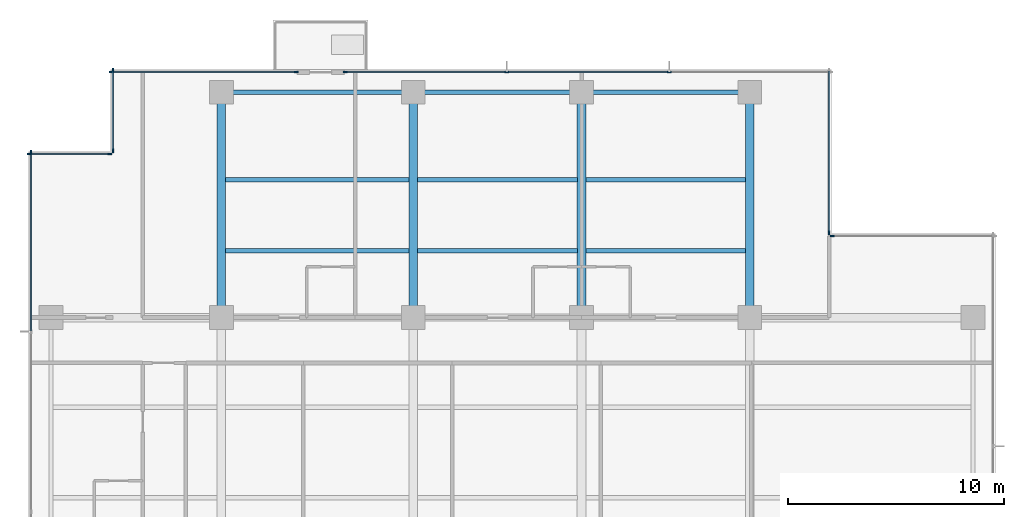
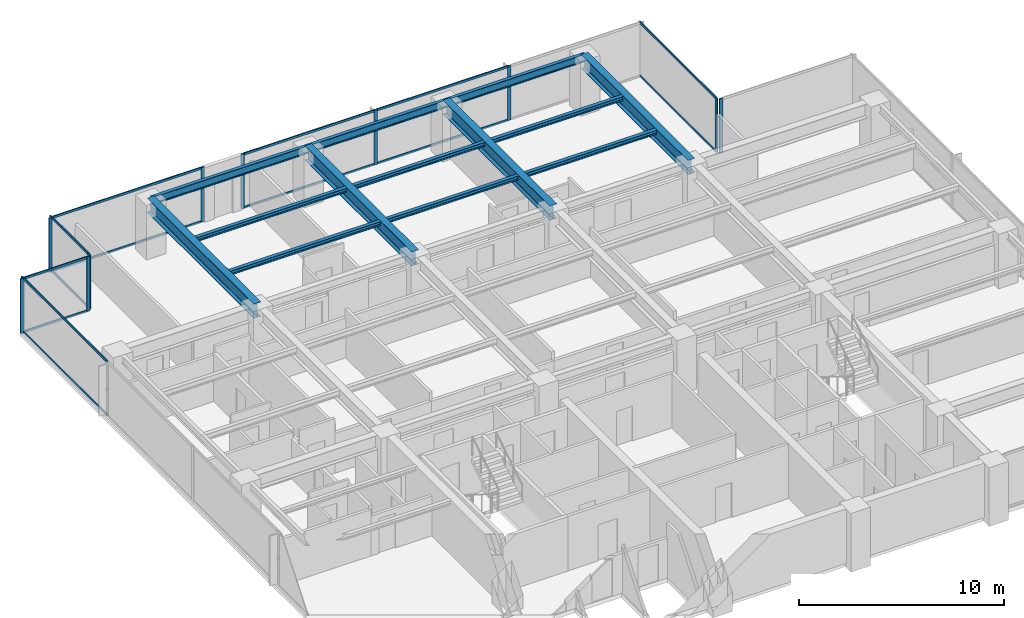
# One storey, part 4 of 14: 26 members, 13 beams, 7 elements without a shape of their own.
"""IFC4 building model written with IfcOpenShell, lengths in metres."""

import ifcopenshell
import ifcopenshell.guid

model = None  # the IFC model being written
_history = None  # IfcOwnerHistory: only IFC2X3 demands one
_inside = {}  # id of a spatial element -> (the spatial element, [elements in it])
_under = {}  # id of a project, library or spatial element -> (it, [spatial elements below it])
_declared = {}  # id of a project -> (the project, [libraries it declares])
_typed = {}  # id of a type object -> (the type object, [elements of that type])
_made_of = {}  # id of a material, layer set ... -> (it, [elements and type objects made of it])


def new_model(schema):
    """Start an empty IFC model of exactly this schema.

    Asked for "IFC4X3", IfcOpenShell would pick the latest addendum, in which some entities
    have other attributes; the version numbers below select the first issue.
    IFC2X3 requires an IfcOwnerHistory on every rooted entity: one is made here for all.
    """
    global model, _history
    if schema == "IFC4X3":
        model = ifcopenshell.file(schema_version=(4, 3, 0, 0))
    else:
        model = ifcopenshell.file(schema=schema)
    _inside.clear()
    _under.clear()
    _declared.clear()
    _typed.clear()
    _made_of.clear()
    _history = None
    if model.schema == "IFC2X3":
        org = make("IfcOrganization", Name="unknown")
        user = make(
            "IfcPersonAndOrganization",
            ThePerson=make("IfcPerson", FamilyName="unknown"),
            TheOrganization=org,
        )
        app = make(
            "IfcApplication",
            ApplicationDeveloper=org,
            Version="unknown",
            ApplicationFullName="unknown",
            ApplicationIdentifier="unknown",
        )
        _history = make(
            "IfcOwnerHistory",
            OwningUser=user,
            OwningApplication=app,
            ChangeAction="ADDED",
            CreationDate=0,
        )
    return model


def make(cls, **values):
    """One entity of the class cls with the attributes given. An attribute that is None is left unset."""
    return model.create_entity(
        cls, **{name: value for name, value in values.items() if value is not None}
    )


def rooted(cls, **values):
    """An entity with a GlobalId (a new one), such as an element, a storey or a relation."""
    return make(cls, GlobalId=ifcopenshell.guid.new(), OwnerHistory=_history, **values)


def si_unit(unit_type, name, prefix=None):
    """IfcSIUnit, for example si_unit("LENGTHUNIT", "METRE", prefix="MILLI")."""
    return make("IfcSIUnit", UnitType=unit_type, Prefix=prefix, Name=name)


def assignment(units):
    """IfcUnitAssignment: the units of a project."""
    return None if units is None else make("IfcUnitAssignment", Units=units)


def point(xyz):
    """IfcCartesianPoint."""
    return None if xyz is None else make("IfcCartesianPoint", Coordinates=xyz)


def direction(xyz):
    """IfcDirection."""
    return None if xyz is None else make("IfcDirection", DirectionRatios=xyz)


def frame(location, z_axis=None, x_axis=None):
    """IfcAxis2Placement3D, a coordinate frame: its origin and axes. An axis left out is left unset."""
    return make(
        "IfcAxis2Placement3D",
        Location=point(location),
        Axis=direction(z_axis),
        RefDirection=direction(x_axis),
    )


def frame_2d(location, x_axis=None):
    """IfcAxis2Placement2D, a coordinate frame in the plane: its origin and x axis."""
    return make(
        "IfcAxis2Placement2D", Location=point(location), RefDirection=direction(x_axis)
    )


def origin():
    """The frame at (0, 0, 0) with its axes left unset."""
    return frame((0.0, 0.0, 0.0))


def origin_2d():
    """The frame at (0, 0) in the plane with its x axis left unset."""
    return frame_2d((0.0, 0.0))


def place(relative_to, where):
    """IfcLocalPlacement: puts the frame where relative to a parent placement (None: the world)."""
    return make(
        "IfcLocalPlacement", PlacementRelTo=relative_to, RelativePlacement=where
    )


def context(
    kind, dimensions, precision=None, world=None, true_north=None, identifier=None
):
    """IfcGeometricRepresentationContext, for example the 3D "Model" context."""
    return make(
        "IfcGeometricRepresentationContext",
        ContextIdentifier=identifier,
        ContextType=kind,
        CoordinateSpaceDimension=dimensions,
        Precision=precision,
        WorldCoordinateSystem=world,
        TrueNorth=true_north,
    )


def subcontext(parent, identifier, kind, view, scale=None):
    """IfcGeometricRepresentationSubContext, for example "Body" below "Model"."""
    return make(
        "IfcGeometricRepresentationSubContext",
        ContextIdentifier=identifier,
        ContextType=kind,
        ParentContext=parent,
        TargetScale=scale,
        TargetView=view,
    )


def project(units=None, contexts=None):
    """IfcProject with its units and contexts."""
    return rooted(
        "IfcProject",
        Name="project",
        RepresentationContexts=contexts,
        UnitsInContext=assignment(units),
    )


def spatial(cls, under=None, at=None, **own):
    """A site, building, storey or space (cls), placed at a placement, below another one or the project."""
    s = rooted(cls, ObjectPlacement=at, **own)
    if under is not None:
        _under.setdefault(under.id(), (under, []))[1].append(s)
    return s


def profile(cls, at=None, kind="AREA", **sizes):
    """A parametric profile (cls). Its sizes go by their IFC names, for example OverallWidth=200.0."""
    return make(cls, ProfileType=kind, Position=at, **sizes)


def rectangle(**sizes):
    """IfcRectangleProfileDef."""
    return profile("IfcRectangleProfileDef", **sizes)


def i_section(**sizes):
    """IfcIShapeProfileDef."""
    return profile("IfcIShapeProfileDef", **sizes)


def extrude(swept, where, along, depth):
    """IfcExtrudedAreaSolid: the profile swept, set in the frame where, extruded along a direction by depth."""
    return make(
        "IfcExtrudedAreaSolid",
        SweptArea=swept,
        Position=where,
        ExtrudedDirection=direction(along),
        Depth=depth,
    )


def shape(context_of_items, identifier, shape_type, items):
    """IfcShapeRepresentation: the items that make up one representation, for example the "Body"."""
    return make(
        "IfcShapeRepresentation",
        ContextOfItems=context_of_items,
        RepresentationIdentifier=identifier,
        RepresentationType=shape_type,
        Items=items,
    )


def material(Name=None, Category=None):
    """IfcMaterial."""
    return make("IfcMaterial", Name=Name, Category=Category)


def layer(
    of_material, thickness, ventilated=None, Name=None, Category=None, Priority=None
):
    """IfcMaterialLayer: one layer of a wall or slab, of a material (None: an air gap)."""
    return make(
        "IfcMaterialLayer",
        Material=of_material,
        LayerThickness=thickness,
        IsVentilated=ventilated,
        Name=Name,
        Category=Category,
        Priority=Priority,
    )


def layer_set(layers, Name=None):
    """IfcMaterialLayerSet."""
    return make("IfcMaterialLayerSet", MaterialLayers=layers, LayerSetName=Name)


def material_profile(
    of_material, cross_section, Name=None, Category=None, Priority=None
):
    """IfcMaterialProfile: a cross section and its material."""
    return make(
        "IfcMaterialProfile",
        Name=Name,
        Material=of_material,
        Profile=cross_section,
        Priority=Priority,
        Category=Category,
    )


def profile_set(profiles, Name=None, composite=None):
    """IfcMaterialProfileSet."""
    return make(
        "IfcMaterialProfileSet",
        Name=Name,
        MaterialProfiles=profiles,
        CompositeProfile=composite,
    )


def made_of(thing, what):
    """Note that an element or type object is made of a material, layer set ...; save() writes the relation."""
    if what is not None:
        _made_of.setdefault(what.id(), (what, []))[1].append(thing)
    return thing


def type_object(cls, material=None, **own):
    """A type object (cls), such as IfcWallType, which elements share."""
    return made_of(rooted(cls, **own), material)


def element(
    cls,
    number,
    at=None,
    inside=None,
    cuts=None,
    type_object=None,
    material=None,
    context=None,
    identifier="Body",
    shape_type=None,
    held_by="IfcProductDefinitionShape",
    body=None,
    shapes=None,
    **own,
):
    """One element of the class cls, such as IfcWall. Its Tag is "e" and its number.

    at: its placement. inside: the storey or other place that contains it. cuts: it is an
    opening in that element (IfcRelVoidsElement). A single representation is given by context,
    identifier, shape_type and body (its items); several are given by shapes. held_by: the class
    of the entity that holds the representations. save() writes the other relations.
    """
    e = rooted(cls, Tag="e%d" % number, ObjectPlacement=at, **own)
    if body is not None:
        shapes = [shape(context, identifier, shape_type, body)]
    if shapes is not None:
        e.Representation = make(held_by, Representations=shapes)
    if inside is not None:
        _inside.setdefault(inside.id(), (inside, []))[1].append(e)
    if cuts is not None:
        rooted(
            "IfcRelVoidsElement", RelatingBuildingElement=cuts, RelatedOpeningElement=e
        )
    if type_object is not None:
        _typed.setdefault(type_object.id(), (type_object, []))[1].append(e)
    return made_of(e, material)


def aggregate(whole, parts):
    """IfcRelAggregates: a whole, such as a stair, and the parts it consists of."""
    return rooted("IfcRelAggregates", RelatingObject=whole, RelatedObjects=parts)


def save(model, path):
    """Write the relations noted so far, then the file.

    IfcRelAggregates (storeys below a building ...), IfcRelContainedInSpatialStructure (elements
    in a storey), IfcRelDefinesByType, IfcRelAssociatesMaterial and IfcRelDeclares: one each for
    every whole, place, type object, material and project.
    """
    for whole, parts in _under.values():
        aggregate(whole, parts)
    for where, things in _inside.values():
        rooted(
            "IfcRelContainedInSpatialStructure",
            RelatedElements=things,
            RelatingStructure=where,
        )
    for kind, things in _typed.values():
        rooted("IfcRelDefinesByType", RelatedObjects=things, RelatingType=kind)
    for what, things in _made_of.values():
        rooted("IfcRelAssociatesMaterial", RelatedObjects=things, RelatingMaterial=what)
    for by, libraries in _declared.values():
        rooted("IfcRelDeclares", RelatingContext=by, RelatedDefinitions=libraries)
    model.write(path)


model = new_model("IFC4")

# Units and contexts
model_context = context("Model", 3, precision=1e-05, world=origin(), true_north=direction((0.0, 1.0)))
body_context = subcontext(model_context, "Body", "Model", "MODEL_VIEW")
ifc_project = project(units=[si_unit("LENGTHUNIT", "METRE"), si_unit("AREAUNIT", "SQUARE_METRE"), si_unit("VOLUMEUNIT", "CUBIC_METRE"), si_unit("PLANEANGLEUNIT", "RADIAN"), si_unit("MASSUNIT", "GRAM", prefix="KILO")], contexts=[model_context])

# Site, building, storey
site_placement = place(None, origin())
site = spatial("IfcSite", under=ifc_project, at=site_placement, CompositionType="ELEMENT")
building_placement = place(site_placement, origin())
building = spatial("IfcBuilding", under=site, at=building_placement, Name="Qalmaran Belvedere Hotel", CompositionType="ELEMENT")
storey_placement = place(building_placement, frame((0.0, 0.0, 166.60009765625)))
storey = spatial("IfcBuildingStorey", under=building, at=storey_placement, Name="L42", CompositionType="ELEMENT", Elevation=166.60009765625)

# Beams
ifc_material_1 = material(Name="Steel S355JR", Category="steel")
ifc_material_profile_1 = material_profile(ifc_material_1, i_section(OverallWidth=0.201904296875, OverallDepth=0.2470703125, WebThickness=0.00732421875, FlangeThickness=0.010986328125, FilletRadius=0.011962890625, at=origin_2d()), Name="W250X49")
ifc_profile_set_1 = profile_set([ifc_material_profile_1], Name="Steel S355JR")
beam_type_1 = type_object("IfcBeamType", Name="BM-JST-W250X49", PredefinedType="JOIST", material=ifc_profile_set_1)
beam_1_placement = place(storey_placement, frame((20.498046875, 36.10009765625, 3.12646484375), z_axis=(1.0, 0.0, 0.0), x_axis=(0.0, 1.0, 0.0)))
element("IfcBeam", 1, at=beam_1_placement, inside=storey, type_object=beam_type_1, Name="L42 North Floor Joist 042", PredefinedType="JOIST", context=body_context, shape_type="SweptSolid", body=[
    extrude(i_section(OverallWidth=0.201904296875, OverallDepth=0.2470703125, WebThickness=0.00732421875, FlangeThickness=0.010986328125, FilletRadius=0.011962890625, at=origin_2d()), origin(), (0.0, 0.0, 1.0), 8.50390625),
])
for number, where, z_axis, x_axis, name in (
    (2, (29.39794921875, 36.10009765625, 3.12646484375), (1.0, 0.0, 0.0), (0.0, 1.0, 0.0), "L42 North Floor Joist 043"),
    (3, (37.197998046875, 36.10009765625, 3.12646484375), (1.0, 0.0, 0.0), (0.0, 1.0, 0.0), "L42 North Floor Joist 044"),
):
    element("IfcBeam", number, at=place(storey_placement, frame(where, z_axis=z_axis, x_axis=x_axis)), inside=storey, type_object=beam_type_1, Name=name, PredefinedType="JOIST", context=body_context, shape_type="SweptSolid", body=[
        extrude(i_section(OverallWidth=0.201904296875, OverallDepth=0.2470703125, WebThickness=0.00732421875, FlangeThickness=0.010986328125, FilletRadius=0.011962890625, at=origin_2d()), origin(), (0.0, 0.0, 1.0), 7.404052734375),
    ])
beam_2_placement = place(storey_placement, frame((20.498046875, 39.39990234375, 3.12646484375), z_axis=(1.0, 0.0, 0.0), x_axis=(0.0, 1.0, 0.0)))
element("IfcBeam", 4, at=beam_2_placement, inside=storey, type_object=beam_type_1, Name="L42 North Floor Joist 045", PredefinedType="JOIST", context=body_context, shape_type="SweptSolid", body=[
    extrude(i_section(OverallWidth=0.201904296875, OverallDepth=0.2470703125, WebThickness=0.00732421875, FlangeThickness=0.010986328125, FilletRadius=0.011962890625, at=origin_2d()), origin(), (0.0, 0.0, 1.0), 8.50390625),
])
for number, where, z_axis, x_axis, name in (
    (5, (29.39794921875, 39.39990234375, 3.12646484375), (1.0, 0.0, 0.0), (0.0, 1.0, 0.0), "L42 North Floor Joist 046"),
    (6, (37.197998046875, 39.39990234375, 3.12646484375), (1.0, 0.0, 0.0), (0.0, 1.0, 0.0), "L42 North Floor Joist 047"),
):
    element("IfcBeam", number, at=place(storey_placement, frame(where, z_axis=z_axis, x_axis=x_axis)), inside=storey, type_object=beam_type_1, Name=name, PredefinedType="JOIST", context=body_context, shape_type="SweptSolid", body=[
        extrude(i_section(OverallWidth=0.201904296875, OverallDepth=0.2470703125, WebThickness=0.00732421875, FlangeThickness=0.010986328125, FilletRadius=0.011962890625, at=origin_2d()), origin(), (0.0, 0.0, 1.0), 7.404052734375),
    ])
ifc_material_profile_2 = material_profile(ifc_material_1, i_section(OverallWidth=0.39990234375, OverallDepth=0.85498046875, WebThickness=0.018310546875, FlangeThickness=0.029296875, FilletRadius=0.02392578125, at=origin_2d()), Name="W840X299")
ifc_profile_set_2 = profile_set([ifc_material_profile_2], Name="Steel S355JR")
beam_type_2 = type_object("IfcBeamType", Name="BM-PG3-W840X299", PredefinedType="USERDEFINED", material=ifc_profile_set_2)
for number, where, z_axis, x_axis, name in (
    (7, (20.300048828125, 33.0, 2.822509765625), (0.0, 1.0, 0.0), (-1.0, 0.0, 0.0), "L42 North Bay Girder 15"),
    (8, (29.199951171875, 33.0, 2.822509765625), (0.0, 1.0, 0.0), (-1.0, 0.0, 0.0), "L42 North Bay Girder 17"),
    (9, (37.0, 33.0, 2.822509765625), (0.0, 1.0, 0.0), (-1.0, 0.0, 0.0), "L42 North Bay Girder 19"),
    (10, (44.800048828125, 33.0, 2.822509765625), (0.0, 1.0, 0.0), (-1.0, 0.0, 0.0), "L42 North Bay Girder 21"),
):
    element("IfcBeam", number, at=place(storey_placement, frame(where, z_axis=z_axis, x_axis=x_axis)), inside=storey, type_object=beam_type_2, Name=name, ObjectType="GIRDER", PredefinedType="USERDEFINED", context=body_context, shape_type="SweptSolid", body=[
        extrude(i_section(OverallWidth=0.39990234375, OverallDepth=0.85498046875, WebThickness=0.018310546875, FlangeThickness=0.029296875, FilletRadius=0.02392578125, at=origin_2d()), origin(), (0.0, 0.0, 1.0), 10.449951171875),
    ])
ifc_material_profile_3 = material_profile(ifc_material_1, i_section(OverallWidth=0.19189453125, OverallDepth=0.462890625, WebThickness=0.010498046875, FlangeThickness=0.017578125, FilletRadius=0.01611328125, at=origin_2d()), Name="W460X89")
ifc_profile_set_3 = profile_set([ifc_material_profile_3], Name="Steel S355JR")
beam_type_3 = type_object("IfcBeamType", Name="BM-SP2-W460X89", PredefinedType="SPANDREL", material=ifc_profile_set_3)
beam_3_placement = place(storey_placement, frame((20.300048828125, 43.449951171875, 3.018310546875), z_axis=(1.0, 0.0, 0.0), x_axis=(0.0, 1.0, 0.0)))
element("IfcBeam", 11, at=beam_3_placement, inside=storey, type_object=beam_type_3, Name="L42 Perimeter Spandrel 05", PredefinedType="SPANDREL", context=body_context, shape_type="SweptSolid", body=[
    extrude(i_section(OverallWidth=0.19189453125, OverallDepth=0.462890625, WebThickness=0.010498046875, FlangeThickness=0.017578125, FilletRadius=0.01611328125, at=origin_2d()), origin(), (0.0, 0.0, 1.0), 8.89990234375),
])
for number, where, z_axis, x_axis, name in (
    (12, (29.199951171875, 43.449951171875, 3.018310546875), (1.0, 0.0, 0.0), (0.0, 1.0, 0.0), "L42 Perimeter Spandrel 06"),
    (13, (37.0, 43.449951171875, 3.018310546875), (1.0, 0.0, 0.0), (0.0, 1.0, 0.0), "L42 Perimeter Spandrel 07"),
):
    element("IfcBeam", number, at=place(storey_placement, frame(where, z_axis=z_axis, x_axis=x_axis)), inside=storey, type_object=beam_type_3, Name=name, PredefinedType="SPANDREL", context=body_context, shape_type="SweptSolid", body=[
        extrude(i_section(OverallWidth=0.19189453125, OverallDepth=0.462890625, WebThickness=0.010498046875, FlangeThickness=0.017578125, FilletRadius=0.01611328125, at=origin_2d()), origin(), (0.0, 0.0, 1.0), 7.800048828125),
    ])

# Curtain wall, member
ifc_material_2 = material(Name="Anodised Bronze Aluminium", Category="aluminium")
ifc_layer = layer(ifc_material_2, 0.195068359375, Name="Anodised Bronze Aluminium")
ifc_layer_set = layer_set([ifc_layer], Name="Anodised Bronze Aluminium")
curtain_wall_type = type_object("IfcCurtainWallType", Name="CW4-TOWER-HIGHMID", PredefinedType="NOTDEFINED", material=ifc_layer_set)
curtain_wall_1_placement = place(storey_placement, origin())
curtain_wall_1 = element("IfcCurtainWall", 14, at=curtain_wall_1_placement, inside=storey, type_object=curtain_wall_type, Name="L42 Curtain Wall CW4", PredefinedType="NOTDEFINED")
ifc_material_profile_4 = material_profile(ifc_material_2, rectangle(XDim=0.070068359375, YDim=0.18994140625, at=origin_2d()), Name="CWM70X190")
ifc_profile_set_4 = profile_set([ifc_material_profile_4], Name="Anodised Bronze Aluminium")
member_type_1 = type_object("IfcMemberType", Name="CWM-70X190", PredefinedType="MULLION", material=ifc_profile_set_4)
member_1_placement = place(storey_placement, frame((48.635009765625, 36.780029296875, 0.0), z_axis=(0.0, 0.0, 1.0), x_axis=(0.0, -1.0, 0.0)))
member_1 = element("IfcMember", 15, at=member_1_placement, type_object=member_type_1, Name="CW4 mullion 2", PredefinedType="MULLION", context=body_context, shape_type="SweptSolid", body=[
    extrude(rectangle(XDim=0.070068359375, YDim=0.18994140625, at=origin_2d()), origin(), (0.0, 0.0, 1.0), 3.25),
])
aggregate(curtain_wall_1, [member_1])

curtain_wall_2_placement = place(storey_placement, origin())
curtain_wall_2 = element("IfcCurtainWall", 16, at=curtain_wall_2_placement, inside=storey, type_object=curtain_wall_type, Name="L42 Curtain Wall CW4", PredefinedType="NOTDEFINED")
member_2_placement = place(storey_placement, frame((48.47998046875, 36.93505859375, 0.0), z_axis=(0.0, 0.0, 1.0), x_axis=(-1.0, 0.0, 0.0)))
member_2 = element("IfcMember", 17, at=member_2_placement, type_object=member_type_1, Name="CW4 mullion 1", PredefinedType="MULLION", context=body_context, shape_type="SweptSolid", body=[
    extrude(rectangle(XDim=0.070068359375, YDim=0.18994140625, at=origin_2d()), origin(), (0.0, 0.0, 1.0), 3.25),
])

# Curtain wall, members
curtain_wall_3_placement = place(storey_placement, origin())
curtain_wall_3 = element("IfcCurtainWall", 18, at=curtain_wall_3_placement, inside=storey, type_object=curtain_wall_type, Name="L42 Curtain Wall CW4", PredefinedType="NOTDEFINED")
member_3_placement = place(storey_placement, frame((23.764892578125, 44.3798828125, 0.0), z_axis=(0.0, 0.0, 1.0), x_axis=(0.0, -1.0, 0.0)))
member_3 = element("IfcMember", 19, at=member_3_placement, type_object=member_type_1, Name="CW4 mullion 1", PredefinedType="MULLION", context=body_context, shape_type="SweptSolid", body=[
    extrude(rectangle(XDim=0.070068359375, YDim=0.18994140625, at=origin_2d()), origin(), (0.0, 0.0, 1.0), 3.25),
])
member_4_placement = place(storey_placement, frame((15.18505859375, 44.3798828125, 0.0), z_axis=(0.0, 0.0, 1.0), x_axis=(0.0, -1.0, 0.0)))
member_4 = element("IfcMember", 20, at=member_4_placement, type_object=member_type_1, Name="CW4 mullion 2", PredefinedType="MULLION", context=body_context, shape_type="SweptSolid", body=[
    extrude(rectangle(XDim=0.070068359375, YDim=0.18994140625, at=origin_2d()), origin(), (0.0, 0.0, 1.0), 3.25),
])

curtain_wall_4_placement = place(storey_placement, origin())
curtain_wall_4 = element("IfcCurtainWall", 21, at=curtain_wall_4_placement, inside=storey, type_object=curtain_wall_type, Name="L42 Curtain Wall CW4", PredefinedType="NOTDEFINED")
member_5_placement = place(storey_placement, frame((41.066650390625, 44.3798828125, 0.0), z_axis=(0.0, 0.0, 1.0), x_axis=(0.0, -1.0, 0.0)))
member_5 = element("IfcMember", 22, at=member_5_placement, type_object=member_type_1, Name="CW4 mullion 2", PredefinedType="MULLION", context=body_context, shape_type="SweptSolid", body=[
    extrude(rectangle(XDim=0.070068359375, YDim=0.18994140625, at=origin_2d()), origin(), (0.0, 0.0, 1.0), 3.25),
])
member_6_placement = place(storey_placement, frame((33.533447265625, 44.3798828125, 0.0), z_axis=(0.0, 0.0, 1.0), x_axis=(0.0, -1.0, 0.0)))
member_6 = element("IfcMember", 23, at=member_6_placement, type_object=member_type_1, Name="CW4 mullion 3", PredefinedType="MULLION", context=body_context, shape_type="SweptSolid", body=[
    extrude(rectangle(XDim=0.070068359375, YDim=0.18994140625, at=origin_2d()), origin(), (0.0, 0.0, 1.0), 3.25),
])
member_7_placement = place(storey_placement, frame((26.034912109375, 44.3798828125, 0.0), z_axis=(0.0, 0.0, 1.0), x_axis=(0.0, -1.0, 0.0)))
member_7 = element("IfcMember", 24, at=member_7_placement, type_object=member_type_1, Name="CW4 mullion 4", PredefinedType="MULLION", context=body_context, shape_type="SweptSolid", body=[
    extrude(rectangle(XDim=0.070068359375, YDim=0.18994140625, at=origin_2d()), origin(), (0.0, 0.0, 1.0), 3.25),
])

curtain_wall_5_placement = place(storey_placement, origin())
curtain_wall_5 = element("IfcCurtainWall", 25, at=curtain_wall_5_placement, inside=storey, type_object=curtain_wall_type, Name="L42 Curtain Wall CW4", PredefinedType="NOTDEFINED")
member_8_placement = place(storey_placement, frame((15.27001953125, 44.465087890625, 0.0), z_axis=(0.0, 0.0, 1.0), x_axis=(1.0, 0.0, 0.0)))
member_8 = element("IfcMember", 26, at=member_8_placement, type_object=member_type_1, Name="CW4 mullion 1", PredefinedType="MULLION", context=body_context, shape_type="SweptSolid", body=[
    extrude(rectangle(XDim=0.070068359375, YDim=0.18994140625, at=origin_2d()), origin(), (0.0, 0.0, 1.0), 3.25),
])
member_9_placement = place(storey_placement, frame((15.27001953125, 40.735107421875, 0.0), z_axis=(0.0, 0.0, 1.0), x_axis=(1.0, 0.0, 0.0)))
member_9 = element("IfcMember", 27, at=member_9_placement, type_object=member_type_1, Name="CW4 mullion 2", PredefinedType="MULLION", context=body_context, shape_type="SweptSolid", body=[
    extrude(rectangle(XDim=0.070068359375, YDim=0.18994140625, at=origin_2d()), origin(), (0.0, 0.0, 1.0), 3.25),
])

curtain_wall_6_placement = place(storey_placement, origin())
curtain_wall_6 = element("IfcCurtainWall", 28, at=curtain_wall_6_placement, inside=storey, type_object=curtain_wall_type, Name="L42 Curtain Wall CW4", PredefinedType="NOTDEFINED")
member_10_placement = place(storey_placement, frame((15.114990234375, 40.580078125, 0.0), z_axis=(0.0, 0.0, 1.0), x_axis=(0.0, -1.0, 0.0)))
member_10 = element("IfcMember", 29, at=member_10_placement, type_object=member_type_1, Name="CW4 mullion 1", PredefinedType="MULLION", context=body_context, shape_type="SweptSolid", body=[
    extrude(rectangle(XDim=0.070068359375, YDim=0.18994140625, at=origin_2d()), origin(), (0.0, 0.0, 1.0), 3.25),
])
member_11_placement = place(storey_placement, frame((11.385009765625, 40.580078125, 0.0), z_axis=(0.0, 0.0, 1.0), x_axis=(0.0, -1.0, 0.0)))
member_11 = element("IfcMember", 30, at=member_11_placement, type_object=member_type_1, Name="CW4 mullion 2", PredefinedType="MULLION", context=body_context, shape_type="SweptSolid", body=[
    extrude(rectangle(XDim=0.070068359375, YDim=0.18994140625, at=origin_2d()), origin(), (0.0, 0.0, 1.0), 3.25),
])

# Curtain wall, member
curtain_wall_7_placement = place(storey_placement, origin())
curtain_wall_7 = element("IfcCurtainWall", 31, at=curtain_wall_7_placement, inside=storey, type_object=curtain_wall_type, Name="L42 Curtain Wall CW4", PredefinedType="NOTDEFINED")
member_12_placement = place(storey_placement, frame((11.469970703125, 40.6650390625, 0.0), z_axis=(0.0, 0.0, 1.0), x_axis=(1.0, 0.0, 0.0)))
member_12 = element("IfcMember", 32, at=member_12_placement, type_object=member_type_1, Name="CW4 mullion 1", PredefinedType="MULLION", context=body_context, shape_type="SweptSolid", body=[
    extrude(rectangle(XDim=0.070068359375, YDim=0.18994140625, at=origin_2d()), origin(), (0.0, 0.0, 1.0), 3.25),
])

# Member
ifc_material_profile_5 = material_profile(ifc_material_2, rectangle(XDim=0.06494140625, YDim=0.1298828125, at=origin_2d()), Name="CWT65X130")
ifc_profile_set_5 = profile_set([ifc_material_profile_5], Name="Anodised Bronze Aluminium")
member_type_2 = type_object("IfcMemberType", Name="CWT-65X130", PredefinedType="USERDEFINED", material=ifc_profile_set_5)
member_13_placement = place(storey_placement, frame((48.47998046875, 36.969970703125, 0.032470703125), z_axis=(0.0, 1.0, 0.0), x_axis=(-1.0, 0.0, 0.0)))
member_13 = element("IfcMember", 33, at=member_13_placement, type_object=member_type_2, Name="CW4 transom 1.1", ObjectType="TRANSOM", PredefinedType="USERDEFINED", context=body_context, shape_type="SweptSolid", body=[
    extrude(rectangle(XDim=0.06494140625, YDim=0.1298828125, at=origin_2d()), origin(), (0.0, 0.0, 1.0), 7.4599609375),
])

member_14_placement = place(storey_placement, frame((48.47998046875, 36.969970703125, 3.21728515625), z_axis=(0.0, 1.0, 0.0), x_axis=(-1.0, 0.0, 0.0)))
member_14 = element("IfcMember", 34, at=member_14_placement, type_object=member_type_2, Name="CW4 transom 1.2", ObjectType="TRANSOM", PredefinedType="USERDEFINED", context=body_context, shape_type="SweptSolid", body=[
    extrude(rectangle(XDim=0.06494140625, YDim=0.1298828125, at=origin_2d()), origin(), (0.0, 0.0, 1.0), 7.4599609375),
])

aggregate(curtain_wall_2, [member_2, member_13, member_14])

member_15_placement = place(storey_placement, frame((23.72998046875, 44.3798828125, 0.032470703125), z_axis=(-1.0, 0.0, 0.0), x_axis=(0.0, -1.0, 0.0)))
member_15 = element("IfcMember", 35, at=member_15_placement, type_object=member_type_2, Name="CW4 transom 1.1", ObjectType="TRANSOM", PredefinedType="USERDEFINED", context=body_context, shape_type="SweptSolid", body=[
    extrude(rectangle(XDim=0.06494140625, YDim=0.1298828125, at=origin_2d()), origin(), (0.0, 0.0, 1.0), 8.510009765625),
])

member_16_placement = place(storey_placement, frame((23.72998046875, 44.3798828125, 3.21728515625), z_axis=(-1.0, 0.0, 0.0), x_axis=(0.0, -1.0, 0.0)))
member_16 = element("IfcMember", 36, at=member_16_placement, type_object=member_type_2, Name="CW4 transom 1.2", ObjectType="TRANSOM", PredefinedType="USERDEFINED", context=body_context, shape_type="SweptSolid", body=[
    extrude(rectangle(XDim=0.06494140625, YDim=0.1298828125, at=origin_2d()), origin(), (0.0, 0.0, 1.0), 8.510009765625),
])

aggregate(curtain_wall_3, [member_3, member_4, member_15, member_16])

member_17_placement = place(storey_placement, frame((41.03173828125, 44.3798828125, 0.032470703125), z_axis=(-1.0, 0.0, 0.0), x_axis=(0.0, -1.0, 0.0)))
member_17 = element("IfcMember", 37, at=member_17_placement, type_object=member_type_2, Name="CW4 transom 2.1", ObjectType="TRANSOM", PredefinedType="USERDEFINED", context=body_context, shape_type="SweptSolid", body=[
    extrude(rectangle(XDim=0.06494140625, YDim=0.1298828125, at=origin_2d()), origin(), (0.0, 0.0, 1.0), 7.46337890625),
])

member_18_placement = place(storey_placement, frame((41.03173828125, 44.3798828125, 3.21728515625), z_axis=(-1.0, 0.0, 0.0), x_axis=(0.0, -1.0, 0.0)))
member_18 = element("IfcMember", 38, at=member_18_placement, type_object=member_type_2, Name="CW4 transom 2.2", ObjectType="TRANSOM", PredefinedType="USERDEFINED", context=body_context, shape_type="SweptSolid", body=[
    extrude(rectangle(XDim=0.06494140625, YDim=0.1298828125, at=origin_2d()), origin(), (0.0, 0.0, 1.0), 7.46337890625),
])

member_19_placement = place(storey_placement, frame((33.498291015625, 44.3798828125, 0.032470703125), z_axis=(-1.0, 0.0, 0.0), x_axis=(0.0, -1.0, 0.0)))
member_19 = element("IfcMember", 39, at=member_19_placement, type_object=member_type_2, Name="CW4 transom 3.1", ObjectType="TRANSOM", PredefinedType="USERDEFINED", context=body_context, shape_type="SweptSolid", body=[
    extrude(rectangle(XDim=0.06494140625, YDim=0.1298828125, at=origin_2d()), origin(), (0.0, 0.0, 1.0), 7.42822265625),
])

member_20_placement = place(storey_placement, frame((33.498291015625, 44.3798828125, 3.21728515625), z_axis=(-1.0, 0.0, 0.0), x_axis=(0.0, -1.0, 0.0)))
member_20 = element("IfcMember", 40, at=member_20_placement, type_object=member_type_2, Name="CW4 transom 3.2", ObjectType="TRANSOM", PredefinedType="USERDEFINED", context=body_context, shape_type="SweptSolid", body=[
    extrude(rectangle(XDim=0.06494140625, YDim=0.1298828125, at=origin_2d()), origin(), (0.0, 0.0, 1.0), 7.42822265625),
])

aggregate(curtain_wall_4, [member_5, member_6, member_7, member_17, member_18, member_19, member_20])

member_21_placement = place(storey_placement, frame((15.27001953125, 44.429931640625, 0.032470703125), z_axis=(0.0, -1.0, 0.0), x_axis=(1.0, 0.0, 0.0)))
member_21 = element("IfcMember", 41, at=member_21_placement, type_object=member_type_2, Name="CW4 transom 1.1", ObjectType="TRANSOM", PredefinedType="USERDEFINED", context=body_context, shape_type="SweptSolid", body=[
    extrude(rectangle(XDim=0.06494140625, YDim=0.1298828125, at=origin_2d()), origin(), (0.0, 0.0, 1.0), 3.659912109375),
])

member_22_placement = place(storey_placement, frame((15.27001953125, 44.429931640625, 3.21728515625), z_axis=(0.0, -1.0, 0.0), x_axis=(1.0, 0.0, 0.0)))
member_22 = element("IfcMember", 42, at=member_22_placement, type_object=member_type_2, Name="CW4 transom 1.2", ObjectType="TRANSOM", PredefinedType="USERDEFINED", context=body_context, shape_type="SweptSolid", body=[
    extrude(rectangle(XDim=0.06494140625, YDim=0.1298828125, at=origin_2d()), origin(), (0.0, 0.0, 1.0), 3.659912109375),
])

aggregate(curtain_wall_5, [member_8, member_9, member_21, member_22])

member_23_placement = place(storey_placement, frame((15.080078125, 40.580078125, 0.032470703125), z_axis=(-1.0, 0.0, 0.0), x_axis=(0.0, -1.0, 0.0)))
member_23 = element("IfcMember", 43, at=member_23_placement, type_object=member_type_2, Name="CW4 transom 1.1", ObjectType="TRANSOM", PredefinedType="USERDEFINED", context=body_context, shape_type="SweptSolid", body=[
    extrude(rectangle(XDim=0.06494140625, YDim=0.1298828125, at=origin_2d()), origin(), (0.0, 0.0, 1.0), 3.66015625),
])

member_24_placement = place(storey_placement, frame((15.080078125, 40.580078125, 3.21728515625), z_axis=(-1.0, 0.0, 0.0), x_axis=(0.0, -1.0, 0.0)))
member_24 = element("IfcMember", 44, at=member_24_placement, type_object=member_type_2, Name="CW4 transom 1.2", ObjectType="TRANSOM", PredefinedType="USERDEFINED", context=body_context, shape_type="SweptSolid", body=[
    extrude(rectangle(XDim=0.06494140625, YDim=0.1298828125, at=origin_2d()), origin(), (0.0, 0.0, 1.0), 3.66015625),
])

aggregate(curtain_wall_6, [member_10, member_11, member_23, member_24])

member_25_placement = place(storey_placement, frame((11.469970703125, 40.6298828125, 0.032470703125), z_axis=(0.0, -1.0, 0.0), x_axis=(1.0, 0.0, 0.0)))
member_25 = element("IfcMember", 45, at=member_25_placement, type_object=member_type_2, Name="CW4 transom 1.1", ObjectType="TRANSOM", PredefinedType="USERDEFINED", context=body_context, shape_type="SweptSolid", body=[
    extrude(rectangle(XDim=0.06494140625, YDim=0.1298828125, at=origin_2d()), origin(), (0.0, 0.0, 1.0), 8.244873046875),
])

member_26_placement = place(storey_placement, frame((11.469970703125, 40.6298828125, 3.21728515625), z_axis=(0.0, -1.0, 0.0), x_axis=(1.0, 0.0, 0.0)))
member_26 = element("IfcMember", 46, at=member_26_placement, type_object=member_type_2, Name="CW4 transom 1.2", ObjectType="TRANSOM", PredefinedType="USERDEFINED", context=body_context, shape_type="SweptSolid", body=[
    extrude(rectangle(XDim=0.06494140625, YDim=0.1298828125, at=origin_2d()), origin(), (0.0, 0.0, 1.0), 8.244873046875),
])

aggregate(curtain_wall_7, [member_12, member_25, member_26])

save(model, "model.ifc")
